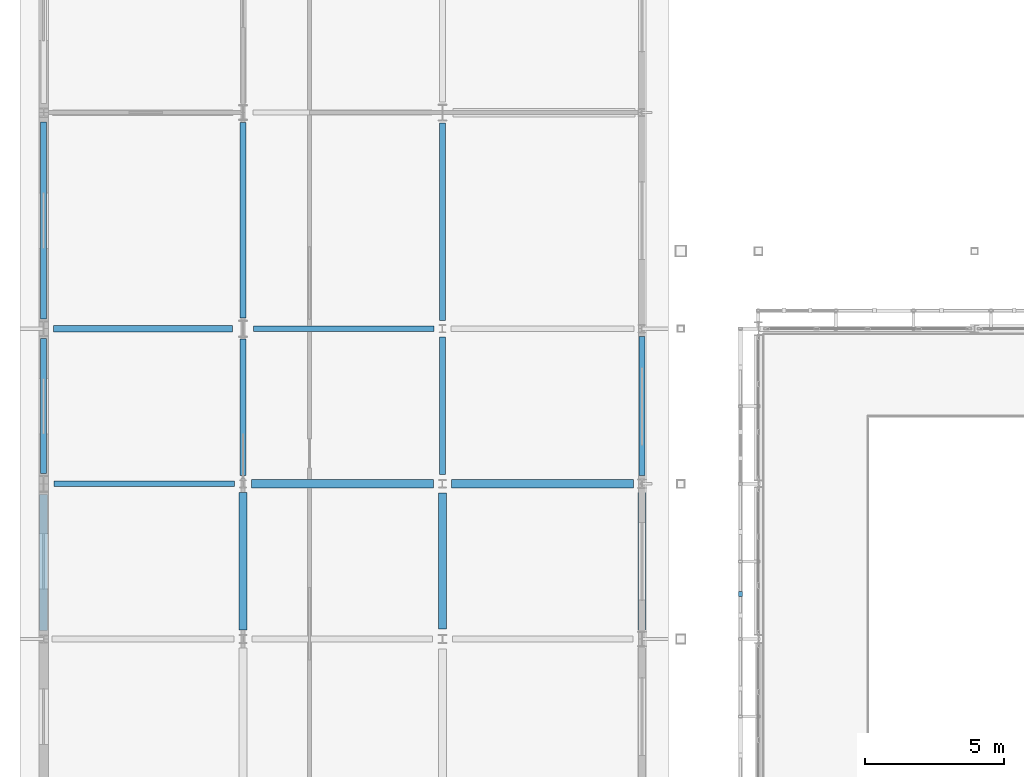
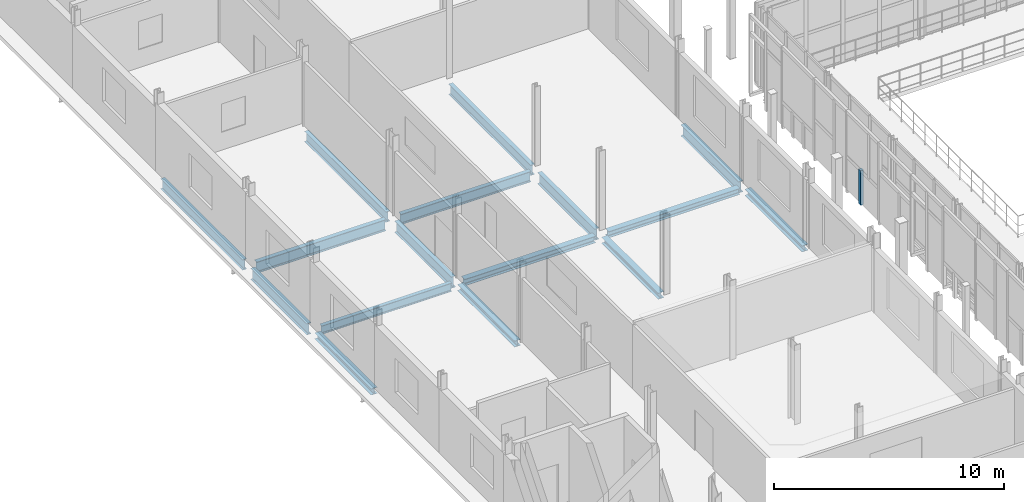
# One storey, part 38 of 138: 16 beams, 1 member.
"""IFC4 building model written with IfcOpenShell, lengths in metres."""

from ifc_helpers import new_model, si_unit, direction, frame, origin, origin_2d, place, context, subcontext, project, spatial, rectangle, i_section, extrude, material, material_profile, profile_set, type_object, element, save


model = new_model("IFC4")

# Units and contexts
model_context = context("Model", 3, precision=1e-05, world=origin(), true_north=direction((0.0, 1.0)))
body_context = subcontext(model_context, "Body", "Model", "MODEL_VIEW")
ifc_project = project(units=[si_unit("LENGTHUNIT", "METRE"), si_unit("AREAUNIT", "SQUARE_METRE"), si_unit("VOLUMEUNIT", "CUBIC_METRE"), si_unit("PLANEANGLEUNIT", "RADIAN"), si_unit("MASSUNIT", "GRAM", prefix="KILO")], contexts=[model_context])

# Site, building, storey
site_placement = place(None, origin())
site = spatial("IfcSite", under=ifc_project, at=site_placement, CompositionType="ELEMENT")
building_placement = place(site_placement, origin())
building = spatial("IfcBuilding", under=site, at=building_placement, Name="Vinh Khe Railworks Police Headquarters", CompositionType="ELEMENT")
storey_placement = place(building_placement, frame((0.0, 0.0, 9.0)))
storey = spatial("IfcBuildingStorey", under=building, at=storey_placement, Name="L02", CompositionType="ELEMENT", Elevation=9.0)

# Member
ifc_material_1 = material(Name="Salvaged ironwood timber", Category="wood")
ifc_material_profile_1 = material_profile(ifc_material_1, rectangle(XDim=0.139892578125, YDim=0.179931640625, at=origin_2d()), Name="TIMBER 140x180")
ifc_profile_set_1 = profile_set([ifc_material_profile_1], Name="Salvaged ironwood timber")
member_type = type_object("IfcMemberType", Name="MEM-QUILT-STILE", PredefinedType="CHORD", material=ifc_profile_set_1)
member_placement = place(storey_placement, frame((25.75, 49.22412109375, -0.080078125), z_axis=(0.0, 0.0, 1.0), x_axis=(1.0, 0.0, 0.0)))
element("IfcMember", 1, at=member_placement, inside=storey, type_object=member_type, Name="Salvaged Timber Quilt Stile W-L02-08-V1", PredefinedType="POST", context=body_context, shape_type="SweptSolid", body=[
    extrude(rectangle(XDim=0.139892578125, YDim=0.179931640625, at=origin_2d()), origin(), (0.0, 0.0, 1.0), 1.843994140625),
])

# Beams
ifc_material_2 = material(Name="Steel S355JR", Category="steel")
ifc_material_profile_2 = material_profile(ifc_material_2, i_section(OverallWidth=0.300048828125, OverallDepth=0.330078125, WebThickness=0.009521484375, FlangeThickness=0.0166015625, FilletRadius=0.027099609375, at=origin_2d()), Name="HEA 340")
ifc_profile_set_2 = profile_set([ifc_material_profile_2], Name="Steel S355JR")
beam_type_1 = type_object("IfcBeamType", Name="Steel Girder HEA 340", PredefinedType="BEAM", material=ifc_profile_set_2)
beam_1_placement = place(storey_placement, frame((15.330078125, 53.199951171875, -0.385009765625), z_axis=(1.0, 0.0, 0.0), x_axis=(0.0, 1.0, 0.0)))
element("IfcBeam", 2, at=beam_1_placement, inside=storey, type_object=beam_type_1, Name="Girder BM-L02-EW-SB-16-0782", PredefinedType="BEAM", context=body_context, shape_type="SweptSolid", body=[
    extrude(i_section(OverallWidth=0.300048828125, OverallDepth=0.330078125, WebThickness=0.009521484375, FlangeThickness=0.0166015625, FilletRadius=0.027099609375, at=origin_2d()), origin(), (0.0, 0.0, 1.0), 6.56494140625),
])
beam_2_placement = place(storey_placement, frame((0.60009765625, 47.905029296875, -0.385009765625), z_axis=(0.0, 1.0, 0.0), x_axis=(-1.0, 0.0, 0.0)))
element("IfcBeam", 3, at=beam_2_placement, inside=storey, type_object=beam_type_1, Name="Girder BM-L02-NS-SB-16-0878", PredefinedType="BEAM", context=body_context, shape_type="SweptSolid", body=[
    extrude(i_section(OverallWidth=0.300048828125, OverallDepth=0.330078125, WebThickness=0.009521484375, FlangeThickness=0.0166015625, FilletRadius=0.027099609375, at=origin_2d()), origin(), (0.0, 0.0, 1.0), 4.9150390625),
])
beam_3_placement = place(storey_placement, frame((7.800048828125, 47.929931640625, -0.385009765625), z_axis=(0.0, 1.0, 0.0), x_axis=(-1.0, 0.0, 0.0)))
element("IfcBeam", 4, at=beam_3_placement, inside=storey, type_object=beam_type_1, Name="Girder BM-L02-NS-SB-16-0896", PredefinedType="BEAM", context=body_context, shape_type="SweptSolid", body=[
    extrude(i_section(OverallWidth=0.300048828125, OverallDepth=0.330078125, WebThickness=0.009521484375, FlangeThickness=0.0166015625, FilletRadius=0.027099609375, at=origin_2d()), origin(), (0.0, 0.0, 1.0), 4.965087890625),
])
beam_4_placement = place(storey_placement, frame((15.0, 47.955078125, -0.385009765625), z_axis=(0.0, 1.0, 0.0), x_axis=(-1.0, 0.0, 0.0)))
element("IfcBeam", 5, at=beam_4_placement, inside=storey, type_object=beam_type_1, Name="Girder BM-L02-NS-SB-16-0914", PredefinedType="BEAM", context=body_context, shape_type="SweptSolid", body=[
    extrude(i_section(OverallWidth=0.300048828125, OverallDepth=0.330078125, WebThickness=0.009521484375, FlangeThickness=0.0166015625, FilletRadius=0.027099609375, at=origin_2d()), origin(), (0.0, 0.0, 1.0), 4.9150390625),
])
beam_5_placement = place(storey_placement, frame((22.199951171875, 47.929931640625, -0.385009765625), z_axis=(0.0, 1.0, 0.0), x_axis=(-1.0, 0.0, 0.0)))
element("IfcBeam", 6, at=beam_5_placement, inside=storey, type_object=beam_type_1, Name="Girder BM-L02-NS-SB-16-0932", PredefinedType="BEAM", context=body_context, shape_type="SweptSolid", body=[
    extrude(i_section(OverallWidth=0.300048828125, OverallDepth=0.330078125, WebThickness=0.009521484375, FlangeThickness=0.0166015625, FilletRadius=0.027099609375, at=origin_2d()), origin(), (0.0, 0.0, 1.0), 4.965087890625),
])
ifc_material_profile_3 = material_profile(ifc_material_2, i_section(OverallWidth=0.300048828125, OverallDepth=0.35009765625, WebThickness=0.010009765625, FlangeThickness=0.017578125, FilletRadius=0.027099609375, at=origin_2d()), Name="HEA 360")
ifc_profile_set_3 = profile_set([ifc_material_profile_3], Name="Steel S355JR")
beam_type_2 = type_object("IfcBeamType", Name="Steel Girder HEA 360", PredefinedType="BEAM", material=ifc_profile_set_3)
beam_6_placement = place(storey_placement, frame((8.10498046875, 53.199951171875, -0.39501953125), z_axis=(1.0, 0.0, 0.0), x_axis=(0.0, 1.0, 0.0)))
element("IfcBeam", 7, at=beam_6_placement, inside=storey, type_object=beam_type_2, Name="Girder BM-L02-EW-SB-15-0781", PredefinedType="BEAM", context=body_context, shape_type="SweptSolid", body=[
    extrude(i_section(OverallWidth=0.300048828125, OverallDepth=0.35009765625, WebThickness=0.010009765625, FlangeThickness=0.017578125, FilletRadius=0.027099609375, at=origin_2d()), origin(), (0.0, 0.0, 1.0), 6.56494140625),
])
ifc_material_profile_4 = material_profile(ifc_material_2, i_section(OverallWidth=0.18994140625, OverallDepth=0.449951171875, WebThickness=0.009521484375, FlangeThickness=0.0146484375, FilletRadius=0.02099609375, at=origin_2d()), Name="IPE 450")
ifc_profile_set_4 = profile_set([ifc_material_profile_4], Name="Steel S355JR")
beam_type_3 = type_object("IfcBeamType", Name="Steel Girder IPE 450", PredefinedType="BEAM", material=ifc_profile_set_4)
beam_7_placement = place(storey_placement, frame((0.97998046875, 53.199951171875, -0.445068359375), z_axis=(1.0, 0.0, 0.0), x_axis=(0.0, 1.0, 0.0)))
element("IfcBeam", 8, at=beam_7_placement, inside=storey, type_object=beam_type_3, Name="Girder BM-L02-EW-SB-20-0780", PredefinedType="BEAM", context=body_context, shape_type="SweptSolid", body=[
    extrude(i_section(OverallWidth=0.18994140625, OverallDepth=0.449951171875, WebThickness=0.009521484375, FlangeThickness=0.0146484375, FilletRadius=0.02099609375, at=origin_2d()), origin(), (0.0, 0.0, 1.0), 6.51513671875),
])
ifc_material_profile_5 = material_profile(ifc_material_2, i_section(OverallWidth=0.2099609375, OverallDepth=0.550048828125, WebThickness=0.010986328125, FlangeThickness=0.01708984375, FilletRadius=0.02392578125, at=origin_2d()), Name="IPE 550")
ifc_profile_set_5 = profile_set([ifc_material_profile_5], Name="Steel S355JR")
beam_type_4 = type_object("IfcBeamType", Name="Steel Girder IPE 550", PredefinedType="BEAM", material=ifc_profile_set_5)
beam_8_placement = place(storey_placement, frame((8.179931640625, 58.800048828125, -0.4951171875), z_axis=(1.0, 0.0, 0.0), x_axis=(0.0, 1.0, 0.0)))
element("IfcBeam", 9, at=beam_8_placement, inside=storey, type_object=beam_type_4, Name="Girder BM-L02-EW-SB-18-0784", PredefinedType="BEAM", context=body_context, shape_type="SweptSolid", body=[
    extrude(i_section(OverallWidth=0.2099609375, OverallDepth=0.550048828125, WebThickness=0.010986328125, FlangeThickness=0.01708984375, FilletRadius=0.02392578125, at=origin_2d()), origin(), (0.0, 0.0, 1.0), 6.51513671875),
])
beam_9_placement = place(storey_placement, frame((0.60009765625, 59.155029296875, -0.4951171875), z_axis=(0.0, 1.0, 0.0), x_axis=(-1.0, 0.0, 0.0)))
element("IfcBeam", 10, at=beam_9_placement, inside=storey, type_object=beam_type_4, Name="Girder BM-L02-NS-SB-18-0880", PredefinedType="BEAM", context=body_context, shape_type="SweptSolid", body=[
    extrude(i_section(OverallWidth=0.2099609375, OverallDepth=0.550048828125, WebThickness=0.010986328125, FlangeThickness=0.01708984375, FilletRadius=0.02392578125, at=origin_2d()), origin(), (0.0, 0.0, 1.0), 7.114990234375),
])
beam_10_placement = place(storey_placement, frame((7.800048828125, 59.179931640625, -0.4951171875), z_axis=(0.0, 1.0, 0.0), x_axis=(-1.0, 0.0, 0.0)))
element("IfcBeam", 11, at=beam_10_placement, inside=storey, type_object=beam_type_4, Name="Girder BM-L02-NS-SB-18-0898", PredefinedType="BEAM", context=body_context, shape_type="SweptSolid", body=[
    extrude(i_section(OverallWidth=0.2099609375, OverallDepth=0.550048828125, WebThickness=0.010986328125, FlangeThickness=0.01708984375, FilletRadius=0.02392578125, at=origin_2d()), origin(), (0.0, 0.0, 1.0), 7.065185546875),
])
beam_11_placement = place(storey_placement, frame((15.0, 59.10498046875, -0.4951171875), z_axis=(0.0, 1.0, 0.0), x_axis=(-1.0, 0.0, 0.0)))
element("IfcBeam", 12, at=beam_11_placement, inside=storey, type_object=beam_type_4, Name="Girder BM-L02-NS-SB-18-0916", PredefinedType="BEAM", context=body_context, shape_type="SweptSolid", body=[
    extrude(i_section(OverallWidth=0.2099609375, OverallDepth=0.550048828125, WebThickness=0.010986328125, FlangeThickness=0.01708984375, FilletRadius=0.02392578125, at=origin_2d()), origin(), (0.0, 0.0, 1.0), 7.114990234375),
])
ifc_material_profile_6 = material_profile(ifc_material_2, i_section(OverallWidth=0.219970703125, OverallDepth=0.60009765625, WebThickness=0.011962890625, FlangeThickness=0.01904296875, FilletRadius=0.02392578125, at=origin_2d()), Name="IPE 600")
ifc_profile_set_6 = profile_set([ifc_material_profile_6], Name="Steel S355JR")
beam_type_5 = type_object("IfcBeamType", Name="Steel Girder IPE 600", PredefinedType="BEAM", material=ifc_profile_set_6)
beam_12_placement = place(storey_placement, frame((0.955078125, 58.800048828125, -0.52001953125), z_axis=(1.0, 0.0, 0.0), x_axis=(0.0, 1.0, 0.0)))
element("IfcBeam", 13, at=beam_12_placement, inside=storey, type_object=beam_type_5, Name="Girder BM-L02-EW-SB-17-0783", PredefinedType="BEAM", context=body_context, shape_type="SweptSolid", body=[
    extrude(i_section(OverallWidth=0.219970703125, OverallDepth=0.60009765625, WebThickness=0.011962890625, FlangeThickness=0.01904296875, FilletRadius=0.02392578125, at=origin_2d()), origin(), (0.0, 0.0, 1.0), 6.46484375),
])
beam_13_placement = place(storey_placement, frame((0.60009765625, 53.580078125, -0.52001953125), z_axis=(0.0, 1.0, 0.0), x_axis=(-1.0, 0.0, 0.0)))
element("IfcBeam", 14, at=beam_13_placement, inside=storey, type_object=beam_type_5, Name="Girder BM-L02-NS-SB-17-0879", PredefinedType="BEAM", context=body_context, shape_type="SweptSolid", body=[
    extrude(i_section(OverallWidth=0.219970703125, OverallDepth=0.60009765625, WebThickness=0.011962890625, FlangeThickness=0.01904296875, FilletRadius=0.02392578125, at=origin_2d()), origin(), (0.0, 0.0, 1.0), 4.864990234375),
])
beam_14_placement = place(storey_placement, frame((7.800048828125, 53.5048828125, -0.52001953125), z_axis=(0.0, 1.0, 0.0), x_axis=(-1.0, 0.0, 0.0)))
element("IfcBeam", 15, at=beam_14_placement, inside=storey, type_object=beam_type_5, Name="Girder BM-L02-NS-SB-17-0897", PredefinedType="BEAM", context=body_context, shape_type="SweptSolid", body=[
    extrude(i_section(OverallWidth=0.219970703125, OverallDepth=0.60009765625, WebThickness=0.011962890625, FlangeThickness=0.01904296875, FilletRadius=0.02392578125, at=origin_2d()), origin(), (0.0, 0.0, 1.0), 4.9150390625),
])
beam_15_placement = place(storey_placement, frame((15.0, 53.530029296875, -0.52001953125), z_axis=(0.0, 1.0, 0.0), x_axis=(-1.0, 0.0, 0.0)))
element("IfcBeam", 16, at=beam_15_placement, inside=storey, type_object=beam_type_5, Name="Girder BM-L02-NS-SB-17-0915", PredefinedType="BEAM", context=body_context, shape_type="SweptSolid", body=[
    extrude(i_section(OverallWidth=0.219970703125, OverallDepth=0.60009765625, WebThickness=0.011962890625, FlangeThickness=0.01904296875, FilletRadius=0.02392578125, at=origin_2d()), origin(), (0.0, 0.0, 1.0), 4.965087890625),
])
beam_16_placement = place(storey_placement, frame((22.199951171875, 53.5048828125, -0.52001953125), z_axis=(0.0, 1.0, 0.0), x_axis=(-1.0, 0.0, 0.0)))
element("IfcBeam", 17, at=beam_16_placement, inside=storey, type_object=beam_type_5, Name="Girder BM-L02-NS-SB-17-0933", PredefinedType="BEAM", context=body_context, shape_type="SweptSolid", body=[
    extrude(i_section(OverallWidth=0.219970703125, OverallDepth=0.60009765625, WebThickness=0.011962890625, FlangeThickness=0.01904296875, FilletRadius=0.02392578125, at=origin_2d()), origin(), (0.0, 0.0, 1.0), 5.01513671875),
])

save(model, "model.ifc")
